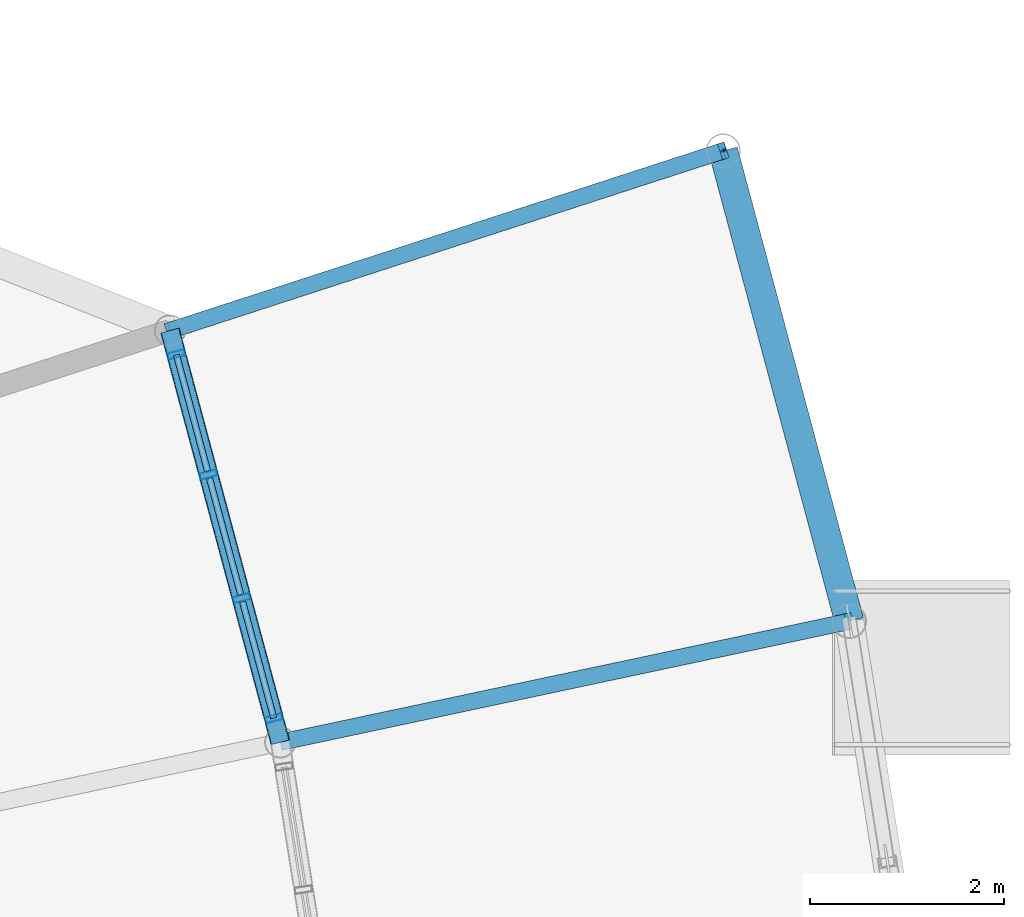
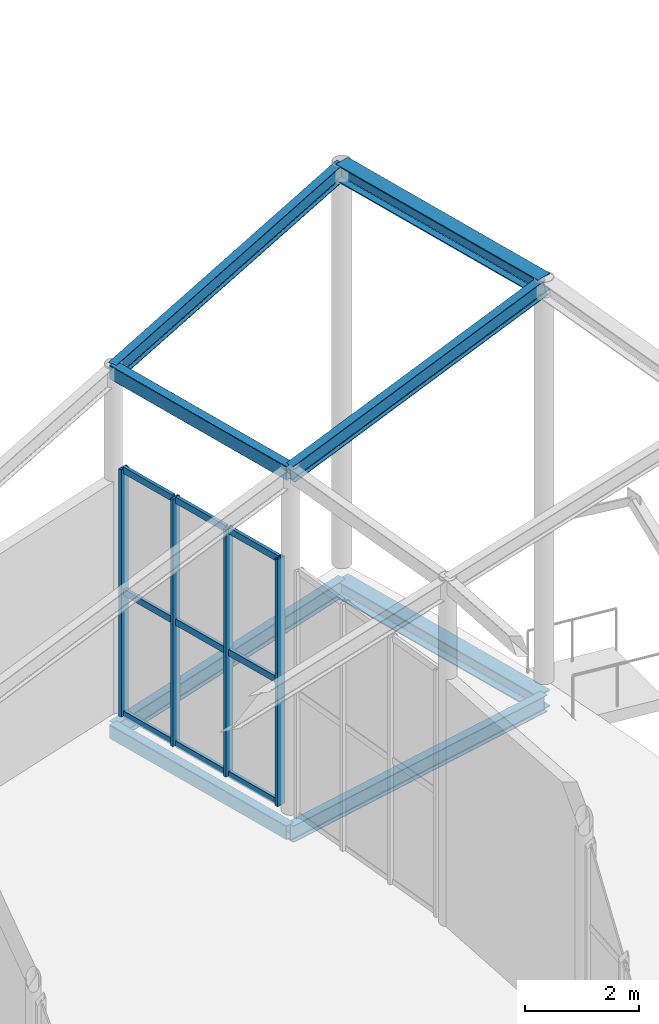
# One storey, part 98 of 158: 13 members, 8 beams, 1 element without a shape of its own.
"""IFC4 building model written with IfcOpenShell, lengths in metres."""

from ifc_helpers import new_model, si_unit, derived_unit, direction, frame, origin, origin_2d, place, context, subcontext, project, spatial, hollow_rectangle, i_section, extrude, material, material_profile, profile_set, type_object, element, aggregate, save


model = new_model("IFC4")

# Units and contexts
model_context = context("Model", 3, precision=1e-05, world=origin(), true_north=direction((0.0, 1.0)))
body_context = subcontext(model_context, "Body", "Model", "MODEL_VIEW")
ifc_project = project(units=[si_unit("LENGTHUNIT", "METRE"), si_unit("AREAUNIT", "SQUARE_METRE"), si_unit("VOLUMEUNIT", "CUBIC_METRE"), si_unit("PLANEANGLEUNIT", "RADIAN"), si_unit("MASSUNIT", "GRAM", prefix="KILO"), si_unit("THERMODYNAMICTEMPERATUREUNIT", "KELVIN"), si_unit("TIMEUNIT", "SECOND"), derived_unit("THERMALTRANSMITTANCEUNIT", [(si_unit("MASSUNIT", "GRAM", prefix="KILO"), 1), (si_unit("THERMODYNAMICTEMPERATUREUNIT", "KELVIN"), -1), (si_unit("TIMEUNIT", "SECOND"), -3)])], contexts=[model_context])

# Site, building, storey
site_placement = place(None, origin())
site = spatial("IfcSite", under=ifc_project, at=site_placement, CompositionType="ELEMENT")
building_placement = place(site_placement, origin())
building = spatial("IfcBuilding", under=site, at=building_placement, Name="Cambertide Market Hall", CompositionType="ELEMENT")
storey_placement = place(building_placement, origin())
storey = spatial("IfcBuildingStorey", under=building, at=storey_placement, Name="L01", CompositionType="ELEMENT", Elevation=0.0)

# Curtain wall, members
ifc_material_1 = material(Name="Marine Anodized Aluminium 6063-T6 AA25", Category="aluminium")
curtain_wall_type = type_object("IfcCurtainWallType", Name="Promenade Crescent Outer Glazed Wall", PredefinedType="USERDEFINED", material=ifc_material_1)
curtain_wall_placement = place(storey_placement, origin())
curtain_wall = element("IfcCurtainWall", 1, at=curtain_wall_placement, inside=storey, type_object=curtain_wall_type, Name="Level 1 Curtain Wall CW-V5M-L01-9", ObjectType="UNITIZED CURTAIN WALL", PredefinedType="USERDEFINED")
ifc_material_2 = material(Name="Champagne Marine Anodized Aluminium 6063-T6 AA25", Category="aluminium")
ifc_material_profile_1 = material_profile(ifc_material_2, hollow_rectangle(XDim=0.06494140625, YDim=0.179931640625, WallThickness=0.00390625, at=origin_2d()), Name="ALU MULLION 65x180")
ifc_profile_set_1 = profile_set([ifc_material_profile_1], Name="Champagne Marine Anodized Aluminium 6063-T6 AA25")
member_type_1 = type_object("IfcMemberType", Name="Curtain Wall Mullion ALU MULLION 65x180", PredefinedType="MULLION", material=ifc_profile_set_1)
member_1_placement = place(storey_placement, frame((184.01025390625, 78.732421875, 0.0), z_axis=(0.0, 0.0, 1.0), x_axis=(0.258818914887, -0.96592586118, 0.0)))
member_1 = element("IfcMember", 2, at=member_1_placement, type_object=member_type_1, Name="CW-V5M-L01-9 Mullion 1", PredefinedType="MULLION", context=body_context, shape_type="SweptSolid", body=[
    extrude(hollow_rectangle(XDim=0.06494140625, YDim=0.179931640625, WallThickness=0.00390625, at=origin_2d()), origin(), (0.0, 0.0, 1.0), 5.300048828125),
])
member_2_placement = place(storey_placement, frame((184.342529296875, 77.492431640625, 0.0), z_axis=(0.0, 0.0, 1.0), x_axis=(0.258818914887, -0.96592586118, 0.0)))
member_2 = element("IfcMember", 3, at=member_2_placement, type_object=member_type_1, Name="CW-V5M-L01-9 Mullion 2", PredefinedType="MULLION", context=body_context, shape_type="SweptSolid", body=[
    extrude(hollow_rectangle(XDim=0.06494140625, YDim=0.179931640625, WallThickness=0.00390625, at=origin_2d()), origin(), (0.0, 0.0, 1.0), 5.300048828125),
])
member_3_placement = place(storey_placement, frame((184.683837890625, 76.218505859375, 0.0), z_axis=(0.0, 0.0, 1.0), x_axis=(0.258818914887, -0.96592586118, 0.0)))
member_3 = element("IfcMember", 4, at=member_3_placement, type_object=member_type_1, Name="CW-V5M-L01-9 Mullion 3", PredefinedType="MULLION", context=body_context, shape_type="SweptSolid", body=[
    extrude(hollow_rectangle(XDim=0.06494140625, YDim=0.179931640625, WallThickness=0.00390625, at=origin_2d()), origin(), (0.0, 0.0, 1.0), 5.300048828125),
])
member_4_placement = place(storey_placement, frame((185.01611328125, 74.978515625, 0.0), z_axis=(0.0, 0.0, 1.0), x_axis=(0.258818914887, -0.96592586118, 0.0)))
member_4 = element("IfcMember", 5, at=member_4_placement, type_object=member_type_1, Name="CW-V5M-L01-9 Mullion 4", PredefinedType="MULLION", context=body_context, shape_type="SweptSolid", body=[
    extrude(hollow_rectangle(XDim=0.06494140625, YDim=0.179931640625, WallThickness=0.00390625, at=origin_2d()), origin(), (0.0, 0.0, 1.0), 5.300048828125),
])
ifc_material_3 = material(Name="Champagne Marine Anodized Aluminium 6063-T6 AA25", Category="aluminium")
ifc_material_profile_2 = material_profile(ifc_material_3, hollow_rectangle(XDim=0.06494140625, YDim=0.139892578125, WallThickness=0.00341796875, at=origin_2d()), Name="ALU TRANSOM 65x140")
ifc_profile_set_2 = profile_set([ifc_material_profile_2], Name="Champagne Marine Anodized Aluminium 6063-T6 AA25")
member_type_2 = type_object("IfcMemberType", Name="Curtain Wall Transom ALU TRANSOM 65x140", PredefinedType="USERDEFINED", material=ifc_profile_set_2)
member_5_placement = place(storey_placement, frame((184.01171875, 78.7275390625, 0.034912109375), z_axis=(0.258778775034, -0.965936615722, 0.0), x_axis=(0.965936615722, 0.258778775034, 0.0)))
member_5 = element("IfcMember", 6, at=member_5_placement, type_object=member_type_2, Name="CW-V5M-L01-9 Transom 1-1", ObjectType="TRANSOM", PredefinedType="USERDEFINED", context=body_context, shape_type="SweptSolid", body=[
    extrude(hollow_rectangle(XDim=0.06494140625, YDim=0.139892578125, WallThickness=0.00341796875, at=origin_2d()), origin(), (0.0, 0.0, 1.0), 1.23876953125),
])
member_6_placement = place(storey_placement, frame((184.35302734375, 77.453857421875, 0.034912109375), z_axis=(0.258778775034, -0.965936615722, 0.0), x_axis=(0.965936615722, 0.258778775034, 0.0)))
member_6 = element("IfcMember", 7, at=member_6_placement, type_object=member_type_2, Name="CW-V5M-L01-9 Transom 1-2", ObjectType="TRANSOM", PredefinedType="USERDEFINED", context=body_context, shape_type="SweptSolid", body=[
    extrude(hollow_rectangle(XDim=0.06494140625, YDim=0.139892578125, WallThickness=0.00341796875, at=origin_2d()), origin(), (0.0, 0.0, 1.0), 1.23876953125),
])
member_7_placement = place(storey_placement, frame((184.6943359375, 76.179931640625, 0.034912109375), z_axis=(0.258778775034, -0.965936615722, 0.0), x_axis=(0.965936615722, 0.258778775034, 0.0)))
member_7 = element("IfcMember", 8, at=member_7_placement, type_object=member_type_2, Name="CW-V5M-L01-9 Transom 1-3", ObjectType="TRANSOM", PredefinedType="USERDEFINED", context=body_context, shape_type="SweptSolid", body=[
    extrude(hollow_rectangle(XDim=0.06494140625, YDim=0.139892578125, WallThickness=0.00341796875, at=origin_2d()), origin(), (0.0, 0.0, 1.0), 1.23876953125),
])
member_8_placement = place(storey_placement, frame((184.01171875, 78.7275390625, 2.64990234375), z_axis=(0.258778775034, -0.965936615722, 0.0), x_axis=(0.965936615722, 0.258778775034, 0.0)))
member_8 = element("IfcMember", 9, at=member_8_placement, type_object=member_type_2, Name="CW-V5M-L01-9 Transom 2-1", ObjectType="TRANSOM", PredefinedType="USERDEFINED", context=body_context, shape_type="SweptSolid", body=[
    extrude(hollow_rectangle(XDim=0.06494140625, YDim=0.139892578125, WallThickness=0.00341796875, at=origin_2d()), origin(), (0.0, 0.0, 1.0), 1.23876953125),
])
member_9_placement = place(storey_placement, frame((184.35302734375, 77.453857421875, 2.64990234375), z_axis=(0.258778775034, -0.965936615722, 0.0), x_axis=(0.965936615722, 0.258778775034, 0.0)))
member_9 = element("IfcMember", 10, at=member_9_placement, type_object=member_type_2, Name="CW-V5M-L01-9 Transom 2-2", ObjectType="TRANSOM", PredefinedType="USERDEFINED", context=body_context, shape_type="SweptSolid", body=[
    extrude(hollow_rectangle(XDim=0.06494140625, YDim=0.139892578125, WallThickness=0.00341796875, at=origin_2d()), origin(), (0.0, 0.0, 1.0), 1.23876953125),
])
member_10_placement = place(storey_placement, frame((184.6943359375, 76.179931640625, 2.64990234375), z_axis=(0.258778775034, -0.965936615722, 0.0), x_axis=(0.965936615722, 0.258778775034, 0.0)))
member_10 = element("IfcMember", 11, at=member_10_placement, type_object=member_type_2, Name="CW-V5M-L01-9 Transom 2-3", ObjectType="TRANSOM", PredefinedType="USERDEFINED", context=body_context, shape_type="SweptSolid", body=[
    extrude(hollow_rectangle(XDim=0.06494140625, YDim=0.139892578125, WallThickness=0.00341796875, at=origin_2d()), origin(), (0.0, 0.0, 1.0), 1.23876953125),
])
member_11_placement = place(storey_placement, frame((184.01171875, 78.7275390625, 5.264892578125), z_axis=(0.258778775034, -0.965936615722, 0.0), x_axis=(0.965936615722, 0.258778775034, 0.0)))
member_11 = element("IfcMember", 12, at=member_11_placement, type_object=member_type_2, Name="CW-V5M-L01-9 Transom 3-1", ObjectType="TRANSOM", PredefinedType="USERDEFINED", context=body_context, shape_type="SweptSolid", body=[
    extrude(hollow_rectangle(XDim=0.06494140625, YDim=0.139892578125, WallThickness=0.00341796875, at=origin_2d()), origin(), (0.0, 0.0, 1.0), 1.23876953125),
])
member_12_placement = place(storey_placement, frame((184.35302734375, 77.453857421875, 5.264892578125), z_axis=(0.258778775034, -0.965936615722, 0.0), x_axis=(0.965936615722, 0.258778775034, 0.0)))
member_12 = element("IfcMember", 13, at=member_12_placement, type_object=member_type_2, Name="CW-V5M-L01-9 Transom 3-2", ObjectType="TRANSOM", PredefinedType="USERDEFINED", context=body_context, shape_type="SweptSolid", body=[
    extrude(hollow_rectangle(XDim=0.06494140625, YDim=0.139892578125, WallThickness=0.00341796875, at=origin_2d()), origin(), (0.0, 0.0, 1.0), 1.23876953125),
])
member_13_placement = place(storey_placement, frame((184.6943359375, 76.179931640625, 5.264892578125), z_axis=(0.258778775034, -0.965936615722, 0.0), x_axis=(0.965936615722, 0.258778775034, 0.0)))
member_13 = element("IfcMember", 14, at=member_13_placement, type_object=member_type_2, Name="CW-V5M-L01-9 Transom 3-3", ObjectType="TRANSOM", PredefinedType="USERDEFINED", context=body_context, shape_type="SweptSolid", body=[
    extrude(hollow_rectangle(XDim=0.06494140625, YDim=0.139892578125, WallThickness=0.00341796875, at=origin_2d()), origin(), (0.0, 0.0, 1.0), 1.23876953125),
])
aggregate(curtain_wall, [member_1, member_2, member_3, member_4, member_5, member_6, member_7, member_8, member_9, member_10, member_11, member_12, member_13])

# Beams
ifc_material_4 = material(Name="Steel S355", Category="steel")
ifc_material_profile_3 = material_profile(ifc_material_4, i_section(OverallWidth=0.300048828125, OverallDepth=0.360107421875, WebThickness=0.012451171875, FlangeThickness=0.0224609375, FilletRadius=0.027099609375, at=origin_2d()), Name="HEB 360")
ifc_profile_set_3 = profile_set([ifc_material_profile_3], Name="Steel S355")
beam_type_1 = type_object("IfcBeamType", Name="Exterior Steel Girder HEB 360", PredefinedType="BEAM", material=ifc_profile_set_3)
beam_1_placement = place(storey_placement, frame((190.951171875, 75.979736328125, 8.449951171875), z_axis=(-0.258851050893, 0.965917249795, 0.0), x_axis=(-0.965917249795, -0.258851050893, 0.0)))
element("IfcBeam", 15, at=beam_1_placement, inside=storey, type_object=beam_type_1, Name="Level 1 Beam BM-V5C-CAN-OUT-9", PredefinedType="BEAM", context=body_context, shape_type="SweptSolid", body=[
    extrude(i_section(OverallWidth=0.300048828125, OverallDepth=0.360107421875, WebThickness=0.012451171875, FlangeThickness=0.0224609375, FilletRadius=0.027099609375, at=origin_2d()), origin(), (0.0, 0.0, 1.0), 5.024169921875),
])
ifc_material_5 = material(Name="Steel S355", Category="steel")
ifc_material_profile_4 = material_profile(ifc_material_5, i_section(OverallWidth=0.169921875, OverallDepth=0.360107421875, WebThickness=0.008056640625, FlangeThickness=0.0126953125, FilletRadius=0.01806640625, at=origin_2d()), Name="IPE 360")
ifc_profile_set_4 = profile_set([ifc_material_profile_4], Name="Steel S355")
beam_type_2 = type_object("IfcBeamType", Name="Exterior Steel Girder IPE 360", PredefinedType="BEAM", material=ifc_profile_set_4)
for number, where, z_axis, x_axis, name in (
    (16, (185.082275390625, 74.732177734375, 7.22998046875), (0.958531507491, 0.203756229597, 0.199250465616), (-0.207925426197, 0.978144681088, 0.0), "BM-V5R2-CAN-9"),
    (17, (183.9443359375, 78.978759765625, 7.22998046875), (0.931989975113, 0.302808020836, 0.199253579157), (-0.309004184009, 0.95106067854, 0.0), "BM-V5R2-CAN-10"),
):
    element("IfcBeam", number, at=place(storey_placement, frame(where, z_axis=z_axis, x_axis=x_axis)), inside=storey, type_object=beam_type_2, Name=name, PredefinedType="BEAM", context=body_context, shape_type="SweptSolid", body=[
        extrude(i_section(OverallWidth=0.169921875, OverallDepth=0.360107421875, WebThickness=0.008056640625, FlangeThickness=0.0126953125, FilletRadius=0.01806640625, at=origin_2d()), origin(), (0.0, 0.0, 1.0), 6.122802734375),
    ])
ifc_material_6 = material(Name="Steel S355", Category="steel")
ifc_material_profile_5 = material_profile(ifc_material_6, hollow_rectangle(XDim=0.199951171875, YDim=0.300048828125, WallThickness=0.010009765625, InnerFilletRadius=0.010009765625, OuterFilletRadius=0.02001953125, at=origin_2d()), Name="RHS 300x200x10")
ifc_profile_set_5 = profile_set([ifc_material_profile_5], Name="Steel S355")
beam_type_3 = type_object("IfcBeamType", Name="Exterior Steel Girder RHS 300x200x10", PredefinedType="BEAM", material=ifc_profile_set_5)
beam_2_placement = place(storey_placement, frame((185.082275390625, 74.732177734375, 7.260009765625), z_axis=(-0.258834161048, 0.965921775857, 0.0), x_axis=(-0.965921775857, -0.258834161048, 0.0)))
element("IfcBeam", 18, at=beam_2_placement, inside=storey, type_object=beam_type_3, Name="Level 1 Beam BM-V5C-CAN-MID-9", PredefinedType="BEAM", context=body_context, shape_type="SweptSolid", body=[
    extrude(hollow_rectangle(XDim=0.199951171875, YDim=0.300048828125, WallThickness=0.010009765625, InnerFilletRadius=0.010009765625, OuterFilletRadius=0.02001953125, at=origin_2d()), origin(), (0.0, 0.0, 1.0), 4.396484375),
])
ifc_material_7 = material(Name="Steel S355", Category="steel")
ifc_material_profile_6 = material_profile(ifc_material_7, i_section(OverallWidth=0.300048828125, OverallDepth=0.360107421875, WebThickness=0.012451171875, FlangeThickness=0.0224609375, FilletRadius=0.027099609375, at=origin_2d()), Name="HEB 360")
ifc_profile_set_6 = profile_set([ifc_material_profile_6], Name="Steel S355")
beam_type_4 = type_object("IfcBeamType", Name="Steel Girder HEB 360", PredefinedType="BEAM", material=ifc_profile_set_6)
beam_3_placement = place(storey_placement, frame((190.951171875, 75.979736328125, -0.47998046875), z_axis=(-0.258851050893, 0.965917249795, 0.0), x_axis=(-0.965917249795, -0.258851050893, 0.0)))
element("IfcBeam", 19, at=beam_3_placement, inside=storey, type_object=beam_type_4, Name="Level 1 Beam BM-V5C-FLR-OUT-9", PredefinedType="BEAM", context=body_context, shape_type="SweptSolid", body=[
    extrude(i_section(OverallWidth=0.300048828125, OverallDepth=0.360107421875, WebThickness=0.012451171875, FlangeThickness=0.0224609375, FilletRadius=0.027099609375, at=origin_2d()), origin(), (0.0, 0.0, 1.0), 5.024169921875),
])
ifc_material_8 = material(Name="Steel S355", Category="steel")
ifc_material_profile_7 = material_profile(ifc_material_8, i_section(OverallWidth=0.169921875, OverallDepth=0.360107421875, WebThickness=0.008056640625, FlangeThickness=0.0126953125, FilletRadius=0.01806640625, at=origin_2d()), Name="IPE 360")
ifc_profile_set_7 = profile_set([ifc_material_profile_7], Name="Steel S355")
beam_type_5 = type_object("IfcBeamType", Name="Steel Girder IPE 360", PredefinedType="BEAM", material=ifc_profile_set_7)
for number, where, z_axis, x_axis, name in (
    (20, (185.082275390625, 74.732177734375, -0.47998046875), (0.978144681088, 0.207925426197, 0.0), (-0.207925426197, 0.978144681088, 0.0), "Level 1 Beam BM-V5R2-FLR-9"),
    (21, (183.9443359375, 78.978759765625, -0.47998046875), (0.95106067854, 0.309004184009, 0.0), (-0.309004184009, 0.95106067854, 0.0), "Level 1 Beam BM-V5R2-FLR-10"),
):
    element("IfcBeam", number, at=place(storey_placement, frame(where, z_axis=z_axis, x_axis=x_axis)), inside=storey, type_object=beam_type_5, Name=name, PredefinedType="BEAM", context=body_context, shape_type="SweptSolid", body=[
        extrude(i_section(OverallWidth=0.169921875, OverallDepth=0.360107421875, WebThickness=0.008056640625, FlangeThickness=0.0126953125, FilletRadius=0.01806640625, at=origin_2d()), origin(), (0.0, 0.0, 1.0), 6.0),
    ])
ifc_material_9 = material(Name="Steel S355", Category="steel")
ifc_material_profile_8 = material_profile(ifc_material_9, hollow_rectangle(XDim=0.199951171875, YDim=0.300048828125, WallThickness=0.010009765625, InnerFilletRadius=0.010009765625, OuterFilletRadius=0.02001953125, at=origin_2d()), Name="RHS 300x200x10")
ifc_profile_set_8 = profile_set([ifc_material_profile_8], Name="Steel S355")
beam_type_6 = type_object("IfcBeamType", Name="Steel Girder RHS 300x200x10", PredefinedType="BEAM", material=ifc_profile_set_8)
beam_4_placement = place(storey_placement, frame((185.082275390625, 74.732177734375, -0.449951171875), z_axis=(-0.258834161048, 0.965921775857, 0.0), x_axis=(-0.965921775857, -0.258834161048, 0.0)))
element("IfcBeam", 22, at=beam_4_placement, inside=storey, type_object=beam_type_6, Name="Level 1 Beam BM-V5C-FLR-MID-9", PredefinedType="BEAM", context=body_context, shape_type="SweptSolid", body=[
    extrude(hollow_rectangle(XDim=0.199951171875, YDim=0.300048828125, WallThickness=0.010009765625, InnerFilletRadius=0.010009765625, OuterFilletRadius=0.02001953125, at=origin_2d()), origin(), (0.0, 0.0, 1.0), 4.396484375),
])

save(model, "model.ifc")
